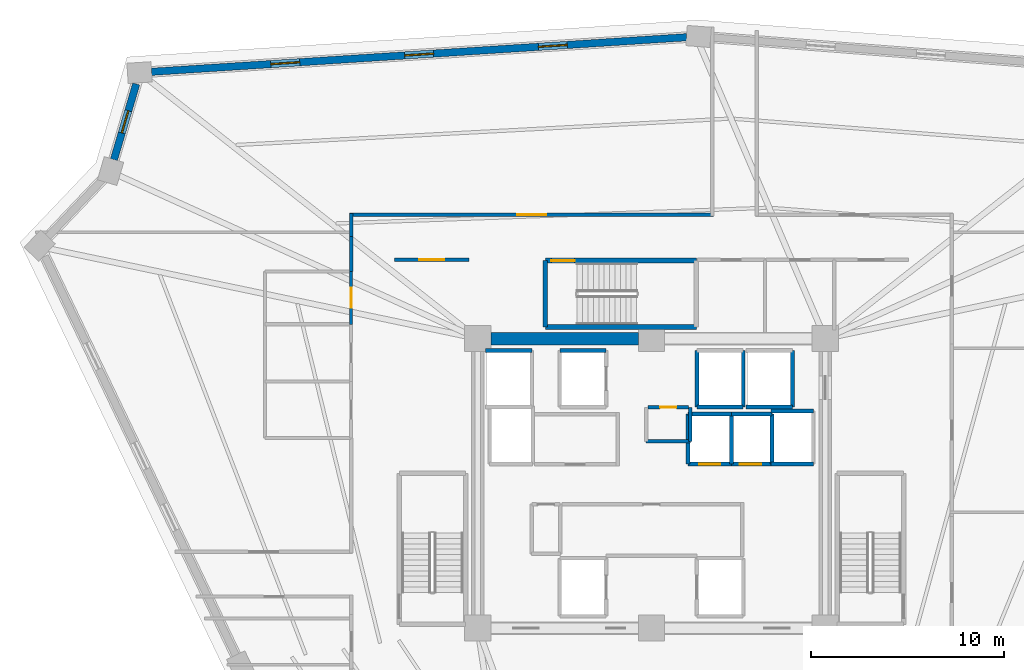
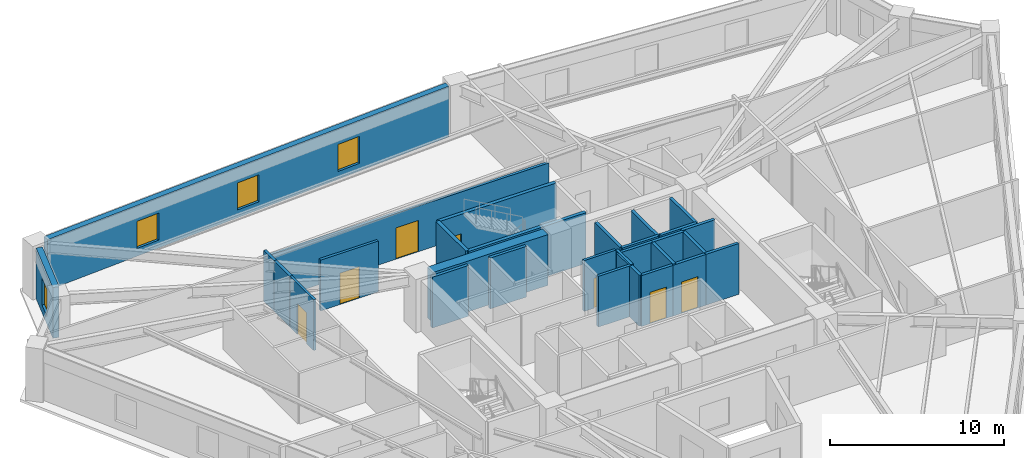
# One storey, part 5 of 8: 30 walls, 7 doors, 4 windows, 11 openings.
"""IFC4 building model written with IfcOpenShell, lengths in metres."""

import ifcopenshell
import ifcopenshell.guid

model = None  # the IFC model being written
_history = None  # IfcOwnerHistory: only IFC2X3 demands one
_inside = {}  # id of a spatial element -> (the spatial element, [elements in it])
_under = {}  # id of a project, library or spatial element -> (it, [spatial elements below it])
_declared = {}  # id of a project -> (the project, [libraries it declares])
_typed = {}  # id of a type object -> (the type object, [elements of that type])
_made_of = {}  # id of a material, layer set ... -> (it, [elements and type objects made of it])


def new_model(schema):
    """Start an empty IFC model of exactly this schema.

    Asked for "IFC4X3", IfcOpenShell would pick the latest addendum, in which some entities
    have other attributes; the version numbers below select the first issue.
    IFC2X3 requires an IfcOwnerHistory on every rooted entity: one is made here for all.
    """
    global model, _history
    if schema == "IFC4X3":
        model = ifcopenshell.file(schema_version=(4, 3, 0, 0))
    else:
        model = ifcopenshell.file(schema=schema)
    _inside.clear()
    _under.clear()
    _declared.clear()
    _typed.clear()
    _made_of.clear()
    _history = None
    if model.schema == "IFC2X3":
        org = make("IfcOrganization", Name="unknown")
        user = make(
            "IfcPersonAndOrganization",
            ThePerson=make("IfcPerson", FamilyName="unknown"),
            TheOrganization=org,
        )
        app = make(
            "IfcApplication",
            ApplicationDeveloper=org,
            Version="unknown",
            ApplicationFullName="unknown",
            ApplicationIdentifier="unknown",
        )
        _history = make(
            "IfcOwnerHistory",
            OwningUser=user,
            OwningApplication=app,
            ChangeAction="ADDED",
            CreationDate=0,
        )
    return model


def make(cls, **values):
    """One entity of the class cls with the attributes given. An attribute that is None is left unset."""
    return model.create_entity(
        cls, **{name: value for name, value in values.items() if value is not None}
    )


def rooted(cls, **values):
    """An entity with a GlobalId (a new one), such as an element, a storey or a relation."""
    return make(cls, GlobalId=ifcopenshell.guid.new(), OwnerHistory=_history, **values)


def si_unit(unit_type, name, prefix=None):
    """IfcSIUnit, for example si_unit("LENGTHUNIT", "METRE", prefix="MILLI")."""
    return make("IfcSIUnit", UnitType=unit_type, Prefix=prefix, Name=name)


def assignment(units):
    """IfcUnitAssignment: the units of a project."""
    return None if units is None else make("IfcUnitAssignment", Units=units)


def point(xyz):
    """IfcCartesianPoint."""
    return None if xyz is None else make("IfcCartesianPoint", Coordinates=xyz)


def direction(xyz):
    """IfcDirection."""
    return None if xyz is None else make("IfcDirection", DirectionRatios=xyz)


def frame(location, z_axis=None, x_axis=None):
    """IfcAxis2Placement3D, a coordinate frame: its origin and axes. An axis left out is left unset."""
    return make(
        "IfcAxis2Placement3D",
        Location=point(location),
        Axis=direction(z_axis),
        RefDirection=direction(x_axis),
    )


def frame_2d(location, x_axis=None):
    """IfcAxis2Placement2D, a coordinate frame in the plane: its origin and x axis."""
    return make(
        "IfcAxis2Placement2D", Location=point(location), RefDirection=direction(x_axis)
    )


def origin():
    """The frame at (0, 0, 0) with its axes left unset."""
    return frame((0.0, 0.0, 0.0))


def place(relative_to, where):
    """IfcLocalPlacement: puts the frame where relative to a parent placement (None: the world)."""
    return make(
        "IfcLocalPlacement", PlacementRelTo=relative_to, RelativePlacement=where
    )


def context(
    kind, dimensions, precision=None, world=None, true_north=None, identifier=None
):
    """IfcGeometricRepresentationContext, for example the 3D "Model" context."""
    return make(
        "IfcGeometricRepresentationContext",
        ContextIdentifier=identifier,
        ContextType=kind,
        CoordinateSpaceDimension=dimensions,
        Precision=precision,
        WorldCoordinateSystem=world,
        TrueNorth=true_north,
    )


def subcontext(parent, identifier, kind, view, scale=None):
    """IfcGeometricRepresentationSubContext, for example "Body" below "Model"."""
    return make(
        "IfcGeometricRepresentationSubContext",
        ContextIdentifier=identifier,
        ContextType=kind,
        ParentContext=parent,
        TargetScale=scale,
        TargetView=view,
    )


def project(units=None, contexts=None):
    """IfcProject with its units and contexts."""
    return rooted(
        "IfcProject",
        Name="project",
        RepresentationContexts=contexts,
        UnitsInContext=assignment(units),
    )


def spatial(cls, under=None, at=None, **own):
    """A site, building, storey or space (cls), placed at a placement, below another one or the project."""
    s = rooted(cls, ObjectPlacement=at, **own)
    if under is not None:
        _under.setdefault(under.id(), (under, []))[1].append(s)
    return s


def profile(cls, at=None, kind="AREA", **sizes):
    """A parametric profile (cls). Its sizes go by their IFC names, for example OverallWidth=200.0."""
    return make(cls, ProfileType=kind, Position=at, **sizes)


def rectangle(**sizes):
    """IfcRectangleProfileDef."""
    return profile("IfcRectangleProfileDef", **sizes)


def extrude(swept, where, along, depth):
    """IfcExtrudedAreaSolid: the profile swept, set in the frame where, extruded along a direction by depth."""
    return make(
        "IfcExtrudedAreaSolid",
        SweptArea=swept,
        Position=where,
        ExtrudedDirection=direction(along),
        Depth=depth,
    )


def shape(context_of_items, identifier, shape_type, items):
    """IfcShapeRepresentation: the items that make up one representation, for example the "Body"."""
    return make(
        "IfcShapeRepresentation",
        ContextOfItems=context_of_items,
        RepresentationIdentifier=identifier,
        RepresentationType=shape_type,
        Items=items,
    )


def source(mapping_origin, context_of_items, identifier, shape_type, items):
    """IfcRepresentationMap: a shape defined once, which mapped items show again and again."""
    return make(
        "IfcRepresentationMap",
        MappingOrigin=mapping_origin,
        MappedRepresentation=shape(context_of_items, identifier, shape_type, items),
    )


def transform(
    local_origin,
    x_axis=None,
    y_axis=None,
    z_axis=None,
    scale=None,
    scale2=None,
    scale3=None,
    uniform=True,
):
    """IfcCartesianTransformationOperator3D, or its non-uniform kind. x_axis, y_axis, z_axis: its Axis1, 2, 3."""
    if uniform:
        return make(
            "IfcCartesianTransformationOperator3D",
            Axis1=direction(x_axis),
            Axis2=direction(y_axis),
            LocalOrigin=point(local_origin),
            Scale=scale,
            Axis3=direction(z_axis),
        )
    return make(
        "IfcCartesianTransformationOperator3DnonUniform",
        Axis1=direction(x_axis),
        Axis2=direction(y_axis),
        LocalOrigin=point(local_origin),
        Scale=scale,
        Axis3=direction(z_axis),
        Scale2=scale2,
        Scale3=scale3,
    )


def mapped(mapping_source, mapping_target):
    """IfcMappedItem: shows the shape of a source again, moved by a transform."""
    return make(
        "IfcMappedItem", MappingSource=mapping_source, MappingTarget=mapping_target
    )


def material(Name=None, Category=None):
    """IfcMaterial."""
    return make("IfcMaterial", Name=Name, Category=Category)


def layer(
    of_material, thickness, ventilated=None, Name=None, Category=None, Priority=None
):
    """IfcMaterialLayer: one layer of a wall or slab, of a material (None: an air gap)."""
    return make(
        "IfcMaterialLayer",
        Material=of_material,
        LayerThickness=thickness,
        IsVentilated=ventilated,
        Name=Name,
        Category=Category,
        Priority=Priority,
    )


def layer_set(layers, Name=None):
    """IfcMaterialLayerSet."""
    return make("IfcMaterialLayerSet", MaterialLayers=layers, LayerSetName=Name)


def made_of(thing, what):
    """Note that an element or type object is made of a material, layer set ...; save() writes the relation."""
    if what is not None:
        _made_of.setdefault(what.id(), (what, []))[1].append(thing)
    return thing


def type_object(cls, material=None, **own):
    """A type object (cls), such as IfcWallType, which elements share."""
    return made_of(rooted(cls, **own), material)


def element(
    cls,
    number,
    at=None,
    inside=None,
    cuts=None,
    type_object=None,
    material=None,
    context=None,
    identifier="Body",
    shape_type=None,
    held_by="IfcProductDefinitionShape",
    body=None,
    shapes=None,
    **own,
):
    """One element of the class cls, such as IfcWall. Its Tag is "e" and its number.

    at: its placement. inside: the storey or other place that contains it. cuts: it is an
    opening in that element (IfcRelVoidsElement). A single representation is given by context,
    identifier, shape_type and body (its items); several are given by shapes. held_by: the class
    of the entity that holds the representations. save() writes the other relations.
    """
    e = rooted(cls, Tag="e%d" % number, ObjectPlacement=at, **own)
    if body is not None:
        shapes = [shape(context, identifier, shape_type, body)]
    if shapes is not None:
        e.Representation = make(held_by, Representations=shapes)
    if inside is not None:
        _inside.setdefault(inside.id(), (inside, []))[1].append(e)
    if cuts is not None:
        rooted(
            "IfcRelVoidsElement", RelatingBuildingElement=cuts, RelatedOpeningElement=e
        )
    if type_object is not None:
        _typed.setdefault(type_object.id(), (type_object, []))[1].append(e)
    return made_of(e, material)


def fill(opening, filler):
    """IfcRelFillsElement: the door or window that sits in an opening."""
    return rooted(
        "IfcRelFillsElement",
        RelatingOpeningElement=opening,
        RelatedBuildingElement=filler,
    )


def aggregate(whole, parts):
    """IfcRelAggregates: a whole, such as a stair, and the parts it consists of."""
    return rooted("IfcRelAggregates", RelatingObject=whole, RelatedObjects=parts)


def save(model, path):
    """Write the relations noted so far, then the file.

    IfcRelAggregates (storeys below a building ...), IfcRelContainedInSpatialStructure (elements
    in a storey), IfcRelDefinesByType, IfcRelAssociatesMaterial and IfcRelDeclares: one each for
    every whole, place, type object, material and project.
    """
    for whole, parts in _under.values():
        aggregate(whole, parts)
    for where, things in _inside.values():
        rooted(
            "IfcRelContainedInSpatialStructure",
            RelatedElements=things,
            RelatingStructure=where,
        )
    for kind, things in _typed.values():
        rooted("IfcRelDefinesByType", RelatedObjects=things, RelatingType=kind)
    for what, things in _made_of.values():
        rooted("IfcRelAssociatesMaterial", RelatedObjects=things, RelatingMaterial=what)
    for by, libraries in _declared.values():
        rooted("IfcRelDeclares", RelatingContext=by, RelatedDefinitions=libraries)
    model.write(path)


model = new_model("IFC4")

# Units and contexts
model_context = context("Model", 3, precision=1e-05, world=origin(), true_north=direction((0.0, 1.0)))
body_context = subcontext(model_context, "Body", "Model", "MODEL_VIEW")
ifc_project = project(units=[si_unit("LENGTHUNIT", "METRE"), si_unit("AREAUNIT", "SQUARE_METRE"), si_unit("VOLUMEUNIT", "CUBIC_METRE"), si_unit("PLANEANGLEUNIT", "RADIAN"), si_unit("MASSUNIT", "GRAM", prefix="KILO")], contexts=[model_context])

# Site, building, storey
site_placement = place(None, origin())
site = spatial("IfcSite", under=ifc_project, at=site_placement, CompositionType="ELEMENT")
building_placement = place(site_placement, origin())
building = spatial("IfcBuilding", under=site, at=building_placement, Name="Liaohun Quay Tower", CompositionType="ELEMENT")
storey_placement = place(building_placement, frame((0.0, 0.0, 266.25)))
storey = spatial("IfcBuildingStorey", under=building, at=storey_placement, Name="L69", CompositionType="ELEMENT", Elevation=266.25)

# Wall
ifc_material_1 = material(Name="Concrete C55", Category="concrete")
ifc_layer_1 = layer(ifc_material_1, 0.64990234375, Name="Concrete C55", Category="concrete")
ifc_layer_set_1 = layer_set([ifc_layer_1], Name="Concrete C55")
wall_type_1 = type_object("IfcWallType", Name="WAL-COR-Z3", PredefinedType="SHEAR", material=ifc_layer_set_1)
wall_1_placement = place(storey_placement, frame((51.675048828125, 61.5, 0.0), z_axis=(0.0, 0.0, 1.0), x_axis=(1.0, 0.0, 0.0)))
element("IfcWall", 1, at=wall_1_placement, inside=storey, type_object=wall_type_1, Name="L69 Central Core Shear Wall N-W", PredefinedType="SHEAR", context=body_context, shape_type="SweptSolid", body=[
    extrude(rectangle(XDim=7.64990234375, YDim=0.64990234375, at=frame_2d((3.824951171875, 0.0))), origin(), (0.0, 0.0, 1.0), 3.570068359375),
])

# Wall, openings, windows
ifc_material_2 = material(Name="Precast concrete C50 insulated sandwich", Category="concrete")
ifc_layer_2 = layer(ifc_material_2, 0.3798828125, Name="Precast concrete C50 insulated sandwich", Category="concrete")
ifc_layer_set_2 = layer_set([ifc_layer_2], Name="Precast concrete C50 insulated sandwich")
wall_type_2 = type_object("IfcWallType", Name="WAL-EXT-Z34", PredefinedType="SOLIDWALL", material=ifc_layer_set_2)
wall_2_placement = place(storey_placement, frame((61.824951171875, 77.10791015625, 0.0), z_axis=(0.0, 0.0, 1.0), x_axis=(-0.997917689191, -0.064500275963, 0.0)))
wall_2 = element("IfcWall", 2, at=wall_2_placement, inside=storey, type_object=wall_type_2, Name="L69 Brutalist Precast Pier Wall 07", PredefinedType="SOLIDWALL", context=body_context, shape_type="SweptSolid", body=[
    extrude(rectangle(XDim=27.78271484375, YDim=0.3798828125, at=frame_2d((13.891357421875, 0.0))), origin(), (0.0, 0.0, 1.0), 3.570068359375),
])
shared_shape_1 = source(origin(), body_context, "Body", "SweptSolid", [
    extrude(rectangle(XDim=1.5, YDim=1.89990234375, at=frame_2d((0.75, 0.949951171875))), frame((0.0, 0.199951171875, 0.0), z_axis=(0.0, -1.0, 0.0), x_axis=(1.0, 0.0, 0.0)), (0.0, 0.0, 1.0), 0.39990234375),
])
opening_1_placement = place(wall_2_placement, frame((6.196044921875, 0.0, 0.550048828125)))
opening_1 = element("IfcOpeningElement", 3, at=opening_1_placement, cuts=wall_2, Name="Opening W03", PredefinedType="OPENING", context=body_context, shape_type="MappedRepresentation", body=[
    mapped(shared_shape_1, transform((0.0, 0.0, 0.0), x_axis=(1.0, 0.0, 0.0), y_axis=(0.0, 1.0, 0.0), z_axis=(0.0, 0.0, 1.0), scale=1.0)),
])
opening_2_placement = place(wall_2_placement, frame((13.14111328125, 0.0, 0.550048828125)))
opening_2 = element("IfcOpeningElement", 4, at=opening_2_placement, cuts=wall_2, Name="Opening W03", PredefinedType="OPENING", context=body_context, shape_type="MappedRepresentation", body=[
    mapped(shared_shape_1, transform((0.0, 0.0, 0.0), x_axis=(1.0, 0.0, 0.0), y_axis=(0.0, 1.0, 0.0), z_axis=(0.0, 0.0, 1.0), scale=1.0)),
])
opening_3_placement = place(wall_2_placement, frame((20.0869140625, 0.0, 0.550048828125)))
opening_3 = element("IfcOpeningElement", 5, at=opening_3_placement, cuts=wall_2, Name="Opening W03", PredefinedType="OPENING", context=body_context, shape_type="MappedRepresentation", body=[
    mapped(shared_shape_1, transform((0.0, 0.0, 0.0), x_axis=(1.0, 0.0, 0.0), y_axis=(0.0, 1.0, 0.0), z_axis=(0.0, 0.0, 1.0), scale=1.0)),
])
ifc_material_3 = material(Name="Triple Low-E argon glazing in thermally broken aluminium", Category="aluminium")
window_type_1 = type_object("IfcWindowType", Name="WIN-PUN-Z3", PartitioningType="DOUBLE_PANEL_VERTICAL", PredefinedType="WINDOW", material=ifc_material_3)
shared_shape_2 = source(origin(), body_context, "Body", "SweptSolid", [
    extrude(rectangle(XDim=1.5, YDim=1.89990234375, at=frame_2d((0.75, 0.949951171875))), frame((0.0, 0.030029296875, 0.0), z_axis=(0.0, -1.0, 0.0), x_axis=(1.0, 0.0, 0.0)), (0.0, 0.0, 1.0), 0.06005859375),
])
window_1_placement = place(opening_1_placement, origin())
window_1 = element("IfcWindow", 6, at=window_1_placement, inside=storey, type_object=window_type_1, Name="L69 Recessed Cold-Climate Punched Window 07-1", OverallHeight=1.89990234375, OverallWidth=1.5, PartitioningType="DOUBLE_PANEL_VERTICAL", PredefinedType="WINDOW", context=body_context, shape_type="MappedRepresentation", body=[
    mapped(shared_shape_2, transform((0.0, 0.0, 0.0), x_axis=(1.0, 0.0, 0.0), y_axis=(0.0, 1.0, 0.0), z_axis=(0.0, 0.0, 1.0), scale=1.0)),
])
fill(opening_1, window_1)
window_2_placement = place(opening_2_placement, origin())
window_2 = element("IfcWindow", 7, at=window_2_placement, inside=storey, type_object=window_type_1, Name="L69 Recessed Cold-Climate Punched Window 07-2", OverallHeight=1.89990234375, OverallWidth=1.5, PartitioningType="DOUBLE_PANEL_VERTICAL", PredefinedType="WINDOW", context=body_context, shape_type="MappedRepresentation", body=[
    mapped(shared_shape_2, transform((0.0, 0.0, 0.0), x_axis=(1.0, 0.0, 0.0), y_axis=(0.0, 1.0, 0.0), z_axis=(0.0, 0.0, 1.0), scale=1.0)),
])
fill(opening_2, window_2)
window_3_placement = place(opening_3_placement, origin())
window_3 = element("IfcWindow", 8, at=window_3_placement, inside=storey, type_object=window_type_1, Name="L69 Recessed Cold-Climate Punched Window 07-3", OverallHeight=1.89990234375, OverallWidth=1.5, PartitioningType="DOUBLE_PANEL_VERTICAL", PredefinedType="WINDOW", context=body_context, shape_type="MappedRepresentation", body=[
    mapped(shared_shape_2, transform((0.0, 0.0, 0.0), x_axis=(1.0, 0.0, 0.0), y_axis=(0.0, 1.0, 0.0), z_axis=(0.0, 0.0, 1.0), scale=1.0)),
])
fill(opening_3, window_3)

# Wall, opening, window
wall_3_placement = place(storey_placement, frame((33.31201171875, 74.68603515625, 0.0), z_axis=(0.0, 0.0, 1.0), x_axis=(-0.282641755903, -0.959225540642, 0.0)))
wall_3 = element("IfcWall", 9, at=wall_3_placement, inside=storey, type_object=wall_type_2, Name="L69 Brutalist Precast Pier Wall 08", PredefinedType="SOLIDWALL", context=body_context, shape_type="SweptSolid", body=[
    extrude(rectangle(XDim=4.086669921875, YDim=0.3798828125, at=frame_2d((2.04345703125, 0.0))), origin(), (0.0, 0.0, 1.0), 3.570068359375),
])
shared_shape_3 = source(origin(), body_context, "Body", "SweptSolid", [
    extrude(rectangle(XDim=1.199951171875, YDim=1.89990234375, at=frame_2d((0.60009765625, 0.949951171875))), frame((0.0, 0.199951171875, 0.0), z_axis=(0.0, -1.0, 0.0), x_axis=(1.0, 0.0, 0.0)), (0.0, 0.0, 1.0), 0.39990234375),
])
opening_4_placement = place(wall_3_placement, frame((1.443115234375, 0.0, 0.550048828125)))
opening_4 = element("IfcOpeningElement", 10, at=opening_4_placement, cuts=wall_3, Name="Opening W05", PredefinedType="OPENING", context=body_context, shape_type="MappedRepresentation", body=[
    mapped(shared_shape_3, transform((0.0, 0.0, 0.0), x_axis=(1.0, 0.0, 0.0), y_axis=(0.0, 1.0, 0.0), z_axis=(0.0, 0.0, 1.0), scale=1.0)),
])
ifc_material_4 = material(Name="Triple Low-E corner notch glazing", Category="glass")
window_type_2 = type_object("IfcWindowType", Name="WIN-NOTCH", PartitioningType="SINGLE_PANEL", PredefinedType="WINDOW", material=ifc_material_4)
shared_shape_4 = source(origin(), body_context, "Body", "SweptSolid", [
    extrude(rectangle(XDim=1.199951171875, YDim=1.89990234375, at=frame_2d((0.60009765625, 0.949951171875))), frame((0.0, 0.030029296875, 0.0), z_axis=(0.0, -1.0, 0.0), x_axis=(1.0, 0.0, 0.0)), (0.0, 0.0, 1.0), 0.06005859375),
])
window_4_placement = place(opening_4_placement, origin())
window_4 = element("IfcWindow", 11, at=window_4_placement, inside=storey, type_object=window_type_2, Name="L69 Corner Notch Window W05-08", OverallHeight=1.89990234375, OverallWidth=1.199951171875, PartitioningType="SINGLE_PANEL", PredefinedType="WINDOW", context=body_context, shape_type="MappedRepresentation", body=[
    mapped(shared_shape_4, transform((0.0, 0.0, 0.0), x_axis=(1.0, 0.0, 0.0), y_axis=(0.0, 1.0, 0.0), z_axis=(0.0, 0.0, 1.0), scale=1.0)),
])
fill(opening_4, window_4)

# Wall, opening, door
ifc_material_5 = material(Name="Autoclaved aerated concrete blockwork", Category="masonry")
ifc_layer_3 = layer(ifc_material_5, 0.179931640625, Name="Autoclaved aerated concrete blockwork", Category="masonry")
ifc_layer_set_3 = layer_set([ifc_layer_3], Name="Autoclaved aerated concrete blockwork")
wall_type_3 = type_object("IfcWallType", Name="WAL-PRT-COR", PredefinedType="PARTITIONING", material=ifc_layer_set_3)
wall_4_placement = place(storey_placement, frame((59.81005859375, 57.949951171875, 0.0), z_axis=(0.0, 0.0, 1.0), x_axis=(1.0, 0.0, 0.0)))
wall_4 = element("IfcWall", 12, at=wall_4_placement, inside=storey, type_object=wall_type_3, Name="L69 Interior Partition Wall 003", PredefinedType="PARTITIONING", context=body_context, shape_type="SweptSolid", body=[
    extrude(rectangle(XDim=2.10986328125, YDim=0.179931640625, at=frame_2d((1.054931640625, 0.0))), origin(), (0.0, 0.0, 1.0), 3.570068359375),
])
shared_shape_5 = source(origin(), body_context, "Body", "SweptSolid", [
    extrude(rectangle(XDim=0.85009765625, YDim=2.10009765625, at=frame_2d((0.425048828125, 1.050048828125))), frame((0.0, 0.099853515625, 0.0), z_axis=(0.0, -1.0, 0.0), x_axis=(1.0, 0.0, 0.0)), (0.0, 0.0, 1.0), 0.199951171875),
])
opening_5_placement = place(wall_4_placement, frame((0.635009765625, 0.0, 0.0)))
opening_5 = element("IfcOpeningElement", 13, at=opening_5_placement, cuts=wall_4, Name="Opening AD1", PredefinedType="OPENING", context=body_context, shape_type="MappedRepresentation", body=[
    mapped(shared_shape_5, transform((0.0, 0.0, 0.0), x_axis=(1.0, 0.0, 0.0), y_axis=(0.0, 1.0, 0.0), z_axis=(0.0, 0.0, 1.0), scale=1.0)),
])
ifc_material_6 = material(Name="Steel riser inspection fire door", Category="steel")
door_type_1 = type_object("IfcDoorType", Name="DOR-SHF-850", OperationType="NOTDEFINED", PredefinedType="DOOR", material=ifc_material_6)
shared_shape_6 = source(origin(), body_context, "Body", "SweptSolid", [
    extrude(rectangle(XDim=0.85009765625, YDim=2.10009765625, at=frame_2d((0.425048828125, 1.050048828125))), frame((0.0, 0.02490234375, 0.0), z_axis=(0.0, -1.0, 0.0), x_axis=(1.0, 0.0, 0.0)), (0.0, 0.0, 1.0), 0.050048828125),
])
door_1_placement = place(opening_5_placement, origin())
door_1 = element("IfcDoor", 14, at=door_1_placement, inside=storey, type_object=door_type_1, Name="L69 Core Janitor and Cleaner Store Door", OperationType="SINGLE_SWING_LEFT", OverallHeight=2.10009765625, OverallWidth=0.85009765625, PredefinedType="DOOR", context=body_context, shape_type="MappedRepresentation", body=[
    mapped(shared_shape_6, transform((0.0, 0.0, 0.0), x_axis=(1.0, 0.0, 0.0), y_axis=(0.0, 1.0, 0.0), z_axis=(0.0, 0.0, 1.0), scale=1.0)),
])
fill(opening_5, door_1)

wall_5_placement = place(storey_placement, frame((46.699951171875, 65.580078125, 0.0), z_axis=(0.0, 0.0, 1.0), x_axis=(1.0, 0.0, 0.0)))
wall_5 = element("IfcWall", 15, at=wall_5_placement, inside=storey, type_object=wall_type_3, Name="L69 Interior Partition Wall 010", PredefinedType="PARTITIONING", context=body_context, shape_type="SweptSolid", body=[
    extrude(rectangle(XDim=3.840087890625, YDim=0.179931640625, at=frame_2d((1.919921875, 0.0))), origin(), (0.0, 0.0, 1.0), 3.570068359375),
])
shared_shape_7 = source(origin(), body_context, "Body", "SweptSolid", [
    extrude(rectangle(XDim=1.300048828125, YDim=2.199951171875, at=frame_2d((0.64990234375, 1.10009765625))), frame((0.0, 0.099853515625, 0.0), z_axis=(0.0, -1.0, 0.0), x_axis=(1.0, 0.0, 0.0)), (0.0, 0.0, 1.0), 0.199951171875),
])
opening_6_placement = place(wall_5_placement, frame((1.27001953125, 0.0, 0.0)))
opening_6 = element("IfcOpeningElement", 16, at=opening_6_placement, cuts=wall_5, Name="Opening FD1", PredefinedType="OPENING", context=body_context, shape_type="MappedRepresentation", body=[
    mapped(shared_shape_7, transform((0.0, 0.0, 0.0), x_axis=(1.0, 0.0, 0.0), y_axis=(0.0, 1.0, 0.0), z_axis=(0.0, 0.0, 1.0), scale=1.0)),
])
ifc_material_7 = material(Name="Galvanised steel smokeproof fire door", Category="steel")
door_type_2 = type_object("IfcDoorType", Name="DOR-FFL-1300", OperationType="NOTDEFINED", PredefinedType="DOOR", material=ifc_material_7)
shared_shape_8 = source(origin(), body_context, "Body", "SweptSolid", [
    extrude(rectangle(XDim=1.300048828125, YDim=2.199951171875, at=frame_2d((0.64990234375, 1.10009765625))), frame((0.0, 0.02490234375, 0.0), z_axis=(0.0, -1.0, 0.0), x_axis=(1.0, 0.0, 0.0)), (0.0, 0.0, 1.0), 0.050048828125),
])
door_2_placement = place(opening_6_placement, origin())
door_2 = element("IfcDoor", 17, at=door_2_placement, inside=storey, type_object=door_type_2, Name="L69 West Core Vestibule Door", OperationType="SINGLE_SWING_RIGHT", OverallHeight=2.199951171875, OverallWidth=1.300048828125, PredefinedType="DOOR", context=body_context, shape_type="MappedRepresentation", body=[
    mapped(shared_shape_8, transform((0.0, 0.0, 0.0), x_axis=(1.0, 0.0, 0.0), y_axis=(0.0, 1.0, 0.0), z_axis=(0.0, 0.0, 1.0), scale=1.0)),
])
fill(opening_6, door_2)

wall_6_placement = place(storey_placement, frame((44.3701171875, 67.909912109375, 0.0), z_axis=(0.0, 0.0, 1.0), x_axis=(1.0, 0.0, 0.0)))
wall_6 = element("IfcWall", 18, at=wall_6_placement, inside=storey, type_object=wall_type_3, Name="L69 Interior Partition Wall 015", PredefinedType="PARTITIONING", context=body_context, shape_type="SweptSolid", body=[
    extrude(rectangle(XDim=18.83984375, YDim=0.179931640625, at=frame_2d((9.419921875, 0.0))), origin(), (0.0, 0.0, 1.0), 3.205078125),
])
shared_shape_9 = source(origin(), body_context, "Body", "SweptSolid", [
    extrude(rectangle(XDim=1.5, YDim=2.199951171875, at=frame_2d((0.75, 1.10009765625))), frame((0.0, 0.099853515625, 0.0), z_axis=(0.0, -1.0, 0.0), x_axis=(1.0, 0.0, 0.0)), (0.0, 0.0, 1.0), 0.199951171875),
])
opening_7_placement = place(wall_6_placement, frame((8.669921875, 0.0, 0.0)))
opening_7 = element("IfcOpeningElement", 19, at=opening_7_placement, cuts=wall_6, Name="Opening OD2", PredefinedType="OPENING", context=body_context, shape_type="MappedRepresentation", body=[
    mapped(shared_shape_9, transform((0.0, 0.0, 0.0), x_axis=(1.0, 0.0, 0.0), y_axis=(0.0, 1.0, 0.0), z_axis=(0.0, 0.0, 1.0), scale=1.0)),
])
ifc_material_8 = material(Name="Acoustic oak veneer double door")
door_type_3 = type_object("IfcDoorType", Name="DOR-OFF-1500", OperationType="DOUBLE_DOOR_SINGLE_SWING", PredefinedType="DOOR", material=ifc_material_8)
shared_shape_10 = source(origin(), body_context, "Body", "SweptSolid", [
    extrude(rectangle(XDim=1.5, YDim=2.199951171875, at=frame_2d((0.75, 1.10009765625))), frame((0.0, 0.02490234375, 0.0), z_axis=(0.0, -1.0, 0.0), x_axis=(1.0, 0.0, 0.0)), (0.0, 0.0, 1.0), 0.050048828125),
])
door_3_placement = place(opening_7_placement, origin())
door_3 = element("IfcDoor", 20, at=door_3_placement, inside=storey, type_object=door_type_3, Name="L69 Project Collaboration Studio 04 Door", OperationType="DOUBLE_DOOR_SINGLE_SWING", OverallHeight=2.199951171875, OverallWidth=1.5, PredefinedType="DOOR", context=body_context, shape_type="MappedRepresentation", body=[
    mapped(shared_shape_10, transform((0.0, 0.0, 0.0), x_axis=(1.0, 0.0, 0.0), y_axis=(0.0, 1.0, 0.0), z_axis=(0.0, 0.0, 1.0), scale=1.0)),
])
fill(opening_7, door_3)

# Walls
wall_7_placement = place(storey_placement, frame((62.010009765625, 56.179931640625, 0.0), z_axis=(0.0, 0.0, 1.0), x_axis=(0.0, 1.0, 0.0)))
element("IfcWall", 21, at=wall_7_placement, inside=storey, type_object=wall_type_3, Name="L69 Interior Partition Wall 022", PredefinedType="PARTITIONING", context=body_context, shape_type="SweptSolid", body=[
    extrude(rectangle(XDim=1.739990234375, YDim=0.179931640625, at=frame_2d((0.8701171875, 0.0))), origin(), (0.0, 0.0, 1.0), 3.570068359375),
])
wall_8_placement = place(storey_placement, frame((59.719970703125, 56.179931640625, 0.0), z_axis=(0.0, 0.0, 1.0), x_axis=(1.0, 0.0, 0.0)))
element("IfcWall", 22, at=wall_8_placement, inside=storey, type_object=wall_type_3, Name="L69 Interior Partition Wall 023", PredefinedType="PARTITIONING", context=body_context, shape_type="SweptSolid", body=[
    extrude(rectangle(XDim=2.2900390625, YDim=0.179931640625, at=frame_2d((1.14501953125, 0.0))), origin(), (0.0, 0.0, 1.0), 3.570068359375),
])
wall_9_placement = place(storey_placement, frame((44.43994140625, 66.784912109375, 0.0), z_axis=(0.0, 0.0, 1.0), x_axis=(0.0, 1.0, 0.0)))
element("IfcWall", 23, at=wall_9_placement, inside=storey, type_object=wall_type_3, Name="L69 Interior Partition Wall 037", PredefinedType="PARTITIONING", context=body_context, shape_type="SweptSolid", body=[
    extrude(rectangle(XDim=1.195068359375, YDim=0.179931640625, at=frame_2d((0.59765625, 0.0))), origin(), (0.0, 0.0, 1.0), 3.570068359375),
])
wall_10_placement = place(storey_placement, frame((44.43994140625, 64.97998046875, 0.0), z_axis=(0.0, 0.0, 1.0), x_axis=(0.0, 1.0, 0.0)))
element("IfcWall", 24, at=wall_10_placement, inside=storey, type_object=wall_type_3, Name="L69 Interior Partition Wall 039", PredefinedType="PARTITIONING", context=body_context, shape_type="SweptSolid", body=[
    extrude(rectangle(XDim=1.804931640625, YDim=0.179931640625, at=frame_2d((0.90234375, 0.0))), origin(), (0.0, 0.0, 1.0), 3.570068359375),
])

# Wall, opening, door
ifc_material_9 = material(Name="Moisture-resistant masonry blockwork", Category="masonry")
ifc_layer_4 = layer(ifc_material_9, 0.159912109375, Name="Moisture-resistant masonry blockwork", Category="masonry")
ifc_layer_set_4 = layer_set([ifc_layer_4], Name="Moisture-resistant masonry blockwork")
wall_type_4 = type_object("IfcWallType", Name="WAL-PRT-WET", PredefinedType="PARTITIONING", material=ifc_layer_set_4)
wall_11_placement = place(storey_placement, frame((44.43994140625, 62.239990234375, 0.0), z_axis=(0.0, 0.0, 1.0), x_axis=(0.0, 1.0, 0.0)))
wall_11 = element("IfcWall", 25, at=wall_11_placement, inside=storey, type_object=wall_type_4, Name="L69 Interior Partition Wall 007", PredefinedType="PARTITIONING", context=body_context, shape_type="SweptSolid", body=[
    extrude(rectangle(XDim=2.739990234375, YDim=0.159912109375, at=frame_2d((1.3701171875, 0.0))), origin(), (0.0, 0.0, 1.0), 3.570068359375),
])
shared_shape_11 = source(origin(), body_context, "Body", "SweptSolid", [
    extrude(rectangle(XDim=1.050048828125, YDim=2.14990234375, at=frame_2d((0.52490234375, 1.074951171875))), frame((0.0, 0.08984375, 0.0), z_axis=(0.0, -1.0, 0.0), x_axis=(1.0, 0.0, 0.0)), (0.0, 0.0, 1.0), 0.179931640625),
])
opening_8_placement = place(wall_11_placement, frame((0.844970703125, 0.0, 0.0)))
opening_8 = element("IfcOpeningElement", 26, at=opening_8_placement, cuts=wall_11, Name="Opening WD2", PredefinedType="OPENING", context=body_context, shape_type="MappedRepresentation", body=[
    mapped(shared_shape_11, transform((0.0, 0.0, 0.0), x_axis=(1.0, 0.0, 0.0), y_axis=(0.0, 1.0, 0.0), z_axis=(0.0, 0.0, 1.0), scale=1.0)),
])
ifc_material_10 = material(Name="Accessible outward-swinging laminate door")
door_type_4 = type_object("IfcDoorType", Name="DOR-AWC-1050", OperationType="NOTDEFINED", PredefinedType="DOOR", material=ifc_material_10)
shared_shape_12 = source(origin(), body_context, "Body", "SweptSolid", [
    extrude(rectangle(XDim=1.050048828125, YDim=2.14990234375, at=frame_2d((0.52490234375, 1.074951171875))), frame((0.0, 0.02490234375, 0.0), z_axis=(0.0, -1.0, 0.0), x_axis=(1.0, 0.0, 0.0)), (0.0, 0.0, 1.0), 0.050048828125),
])
door_4_placement = place(opening_8_placement, origin())
door_4 = element("IfcDoor", 27, at=door_4_placement, inside=storey, type_object=door_type_4, Name="L69 Accessible WC Door", OperationType="SINGLE_SWING_LEFT", OverallHeight=2.14990234375, OverallWidth=1.050048828125, PredefinedType="DOOR", context=body_context, shape_type="MappedRepresentation", body=[
    mapped(shared_shape_12, transform((0.0, 0.0, 0.0), x_axis=(1.0, 0.0, 0.0), y_axis=(0.0, 1.0, 0.0), z_axis=(0.0, 0.0, 1.0), scale=1.0)),
])
fill(opening_8, door_4)

# Wall
ifc_material_11 = material(Name="Concrete C50", Category="concrete")
ifc_layer_5 = layer(ifc_material_11, 0.239990234375, Name="Concrete C50", Category="concrete")
ifc_layer_set_5 = layer_set([ifc_layer_5], Name="Concrete C50")
wall_type_5 = type_object("IfcWallType", Name="WAL-SHF-200", PredefinedType="SOLIDWALL", material=ifc_layer_set_5)
wall_12_placement = place(storey_placement, frame((54.5, 62.10009765625, 0.0), z_axis=(0.0, 0.0, 1.0), x_axis=(1.0, 0.0, 0.0)))
element("IfcWall", 28, at=wall_12_placement, inside=storey, type_object=wall_type_5, Name="L69 Stairwell ST-3 Structural Core Wall S", PredefinedType="SOLIDWALL", context=body_context, shape_type="SweptSolid", body=[
    extrude(rectangle(XDim=7.820068359375, YDim=0.239990234375, at=frame_2d((3.91015625, 0.0))), origin(), (0.0, 0.0, 1.0), 3.570068359375),
])

# Wall, opening, door
wall_13_placement = place(storey_placement, frame((62.320068359375, 65.5400390625, 0.0), z_axis=(0.0, 0.0, 1.0), x_axis=(-1.0, 0.0, 0.0)))
wall_13 = element("IfcWall", 29, at=wall_13_placement, inside=storey, type_object=wall_type_5, Name="L69 Stairwell ST-3 Structural Core Wall N", PredefinedType="SOLIDWALL", context=body_context, shape_type="SweptSolid", body=[
    extrude(rectangle(XDim=7.820068359375, YDim=0.239990234375, at=frame_2d((3.91015625, 0.0))), origin(), (0.0, 0.0, 1.0), 3.570068359375),
])
shared_shape_13 = source(origin(), body_context, "Body", "SweptSolid", [
    extrude(rectangle(XDim=1.199951171875, YDim=2.199951171875, at=frame_2d((0.60009765625, 1.10009765625))), frame((0.0, 0.1298828125, 0.0), z_axis=(0.0, -1.0, 0.0), x_axis=(1.0, 0.0, 0.0)), (0.0, 0.0, 1.0), 0.260009765625),
])
opening_9_placement = place(wall_13_placement, frame((6.300048828125, 0.0, 0.0)))
opening_9 = element("IfcOpeningElement", 30, at=opening_9_placement, cuts=wall_13, Name="Opening SD1", PredefinedType="OPENING", context=body_context, shape_type="MappedRepresentation", body=[
    mapped(shared_shape_13, transform((0.0, 0.0, 0.0), x_axis=(1.0, 0.0, 0.0), y_axis=(0.0, 1.0, 0.0), z_axis=(0.0, 0.0, 1.0), scale=1.0)),
])
ifc_material_12 = material(Name="Galvanised steel fire door", Category="steel")
door_type_5 = type_object("IfcDoorType", Name="DOR-STR-1200", OperationType="NOTDEFINED", PredefinedType="DOOR", material=ifc_material_12)
shared_shape_14 = source(origin(), body_context, "Body", "SweptSolid", [
    extrude(rectangle(XDim=1.199951171875, YDim=2.199951171875, at=frame_2d((0.60009765625, 1.10009765625))), frame((0.0, 0.02490234375, 0.0), z_axis=(0.0, -1.0, 0.0), x_axis=(1.0, 0.0, 0.0)), (0.0, 0.0, 1.0), 0.050048828125),
])
door_5_placement = place(opening_9_placement, origin())
door_5 = element("IfcDoor", 31, at=door_5_placement, inside=storey, type_object=door_type_5, Name="L69 Protected Stair ST-3 Fire Door", OperationType="SINGLE_SWING_RIGHT", OverallHeight=2.199951171875, OverallWidth=1.199951171875, PredefinedType="DOOR", context=body_context, shape_type="MappedRepresentation", body=[
    mapped(shared_shape_14, transform((0.0, 0.0, 0.0), x_axis=(1.0, 0.0, 0.0), y_axis=(0.0, 1.0, 0.0), z_axis=(0.0, 0.0, 1.0), scale=1.0)),
])
fill(opening_9, door_5)

# Walls
wall_14_placement = place(storey_placement, frame((54.5, 65.5400390625, 0.0), z_axis=(0.0, 0.0, 1.0), x_axis=(0.0, -1.0, 0.0)))
element("IfcWall", 32, at=wall_14_placement, inside=storey, type_object=wall_type_5, Name="L69 Stairwell ST-3 Structural Core Wall W", PredefinedType="SOLIDWALL", context=body_context, shape_type="SweptSolid", body=[
    extrude(rectangle(XDim=3.43994140625, YDim=0.239990234375, at=frame_2d((1.719970703125, 0.0))), origin(), (0.0, 0.0, 1.0), 3.570068359375),
])
for number, where, z_axis, x_axis, name in (
    (33, (57.64990234375, 60.8798828125, 0.0), (0.0, 0.0, 1.0), (-1.0, 0.0, 0.0), "L69 Lift FF-03 Hoistway Wall N"),
    (34, (62.35009765625, 57.949951171875, 0.0), (0.0, 0.0, 1.0), (1.0, 0.0, 0.0), "L69 Lift OB-01 Hoistway Wall S"),
):
    element("IfcWall", number, at=place(storey_placement, frame(where, z_axis=z_axis, x_axis=x_axis)), inside=storey, type_object=wall_type_5, Name=name, PredefinedType="SOLIDWALL", context=body_context, shape_type="SweptSolid", body=[
        extrude(rectangle(XDim=2.39990234375, YDim=0.199951171875, at=frame_2d((1.199951171875, 0.0))), origin(), (0.0, 0.0, 1.0), 3.570068359375),
    ])
for number, where, z_axis, x_axis, name in (
    (35, (64.75, 57.949951171875, 0.0), (0.0, 0.0, 1.0), (0.0, 1.0, 0.0), "L69 Lift OB-01 Hoistway Wall E"),
    (36, (62.35009765625, 60.8798828125, 0.0), (0.0, 0.0, 1.0), (0.0, -1.0, 0.0), "L69 Lift OB-01 Hoistway Wall W"),
):
    element("IfcWall", number, at=place(storey_placement, frame(where, z_axis=z_axis, x_axis=x_axis)), inside=storey, type_object=wall_type_5, Name=name, PredefinedType="SOLIDWALL", context=body_context, shape_type="SweptSolid", body=[
        extrude(rectangle(XDim=2.929931640625, YDim=0.199951171875, at=frame_2d((1.46484375, 0.0))), origin(), (0.0, 0.0, 1.0), 3.570068359375),
    ])
wall_15_placement = place(storey_placement, frame((64.89990234375, 57.949951171875, 0.0), z_axis=(0.0, 0.0, 1.0), x_axis=(1.0, 0.0, 0.0)))
element("IfcWall", 37, at=wall_15_placement, inside=storey, type_object=wall_type_5, Name="L69 Lift OB-02 Hoistway Wall S", PredefinedType="SOLIDWALL", context=body_context, shape_type="SweptSolid", body=[
    extrude(rectangle(XDim=2.400146484375, YDim=0.199951171875, at=frame_2d((1.2001953125, 0.0))), origin(), (0.0, 0.0, 1.0), 3.570068359375),
])
wall_16_placement = place(storey_placement, frame((67.300048828125, 57.949951171875, 0.0), z_axis=(0.0, 0.0, 1.0), x_axis=(0.0, 1.0, 0.0)))
element("IfcWall", 38, at=wall_16_placement, inside=storey, type_object=wall_type_5, Name="L69 Lift OB-02 Hoistway Wall E", PredefinedType="SOLIDWALL", context=body_context, shape_type="SweptSolid", body=[
    extrude(rectangle(XDim=2.929931640625, YDim=0.199951171875, at=frame_2d((1.46484375, 0.0))), origin(), (0.0, 0.0, 1.0), 3.570068359375),
])
wall_17_placement = place(storey_placement, frame((53.800048828125, 60.8798828125, 0.0), z_axis=(0.0, 0.0, 1.0), x_axis=(-1.0, 0.0, 0.0)))
element("IfcWall", 39, at=wall_17_placement, inside=storey, type_object=wall_type_5, Name="L69 Lift SH-01 Hoistway Wall N", PredefinedType="SOLIDWALL", context=body_context, shape_type="SweptSolid", body=[
    extrude(rectangle(XDim=2.400146484375, YDim=0.199951171875, at=frame_2d((1.2001953125, 0.0))), origin(), (0.0, 0.0, 1.0), 3.570068359375),
])
for number, where, z_axis, x_axis, name in (
    (40, (66.199951171875, 55.0, 0.0), (0.0, 0.0, 1.0), (1.0, 0.0, 0.0), "L69 Lift SH-03 Hoistway Wall S"),
    (41, (68.3798828125, 57.75, 0.0), (0.0, 0.0, 1.0), (-1.0, 0.0, 0.0), "L69 Lift SH-03 Hoistway Wall N"),
):
    element("IfcWall", number, at=place(storey_placement, frame(where, z_axis=z_axis, x_axis=x_axis)), inside=storey, type_object=wall_type_5, Name=name, PredefinedType="SOLIDWALL", context=body_context, shape_type="SweptSolid", body=[
        extrude(rectangle(XDim=2.179931640625, YDim=0.199951171875, at=frame_2d((1.08984375, 0.0))), origin(), (0.0, 0.0, 1.0), 3.570068359375),
    ])

# Wall, opening, door
wall_18_placement = place(storey_placement, frame((61.89990234375, 55.0, 0.0), z_axis=(0.0, 0.0, 1.0), x_axis=(1.0, 0.0, 0.0)))
wall_18 = element("IfcWall", 42, at=wall_18_placement, inside=storey, type_object=wall_type_5, Name="L69 Lift PL-3A Hoistway Wall S", PredefinedType="SOLIDWALL", context=body_context, shape_type="SweptSolid", body=[
    extrude(rectangle(XDim=2.25, YDim=0.199951171875, at=frame_2d((1.125, 0.0))), origin(), (0.0, 0.0, 1.0), 3.570068359375),
])
shared_shape_15 = source(origin(), body_context, "Body", "SweptSolid", [
    extrude(rectangle(XDim=1.10009765625, YDim=2.199951171875, at=frame_2d((0.550048828125, 1.10009765625))), frame((0.0, 0.10986328125, 0.0), z_axis=(0.0, -1.0, 0.0), x_axis=(1.0, 0.0, 0.0)), (0.0, 0.0, 1.0), 0.219970703125),
])
opening_10_placement = place(wall_18_placement, frame((0.574951171875, 0.0, 0.0)))
opening_10 = element("IfcOpeningElement", 43, at=opening_10_placement, cuts=wall_18, Name="Opening LD1", PredefinedType="OPENING", context=body_context, shape_type="MappedRepresentation", body=[
    mapped(shared_shape_15, transform((0.0, 0.0, 0.0), x_axis=(1.0, 0.0, 0.0), y_axis=(0.0, 1.0, 0.0), z_axis=(0.0, 0.0, 1.0), scale=1.0)),
])
ifc_material_13 = material(Name="Brushed stainless steel landing door", Category="steel")
door_type_6 = type_object("IfcDoorType", Name="DOR-LFT-1100", OperationType="SLIDING_TO_LEFT", PredefinedType="DOOR", material=ifc_material_13)
shared_shape_16 = source(origin(), body_context, "Body", "SweptSolid", [
    extrude(rectangle(XDim=1.10009765625, YDim=2.199951171875, at=frame_2d((0.550048828125, 1.10009765625))), frame((0.0, 0.02490234375, 0.0), z_axis=(0.0, -1.0, 0.0), x_axis=(1.0, 0.0, 0.0)), (0.0, 0.0, 1.0), 0.050048828125),
])
door_6_placement = place(opening_10_placement, origin())
door_6 = element("IfcDoor", 44, at=door_6_placement, inside=storey, type_object=door_type_6, Name="L69 Lift PL-3A Sliding Landing Door", OperationType="SLIDING_TO_LEFT", OverallHeight=2.199951171875, OverallWidth=1.10009765625, PredefinedType="DOOR", context=body_context, shape_type="MappedRepresentation", body=[
    mapped(shared_shape_16, transform((0.0, 0.0, 0.0), x_axis=(1.0, 0.0, 0.0), y_axis=(0.0, 1.0, 0.0), z_axis=(0.0, 0.0, 1.0), scale=1.0)),
])
fill(opening_10, door_6)

# Walls
wall_19_placement = place(storey_placement, frame((64.14990234375, 55.0, 0.0), z_axis=(0.0, 0.0, 1.0), x_axis=(0.0, 1.0, 0.0)))
element("IfcWall", 45, at=wall_19_placement, inside=storey, type_object=wall_type_5, Name="L69 Lift PL-3A Hoistway Wall E", PredefinedType="SOLIDWALL", context=body_context, shape_type="SweptSolid", body=[
    extrude(rectangle(XDim=2.60009765625, YDim=0.199951171875, at=frame_2d((1.300048828125, 0.0))), origin(), (0.0, 0.0, 1.0), 3.570068359375),
])
wall_20_placement = place(storey_placement, frame((64.14990234375, 57.60009765625, 0.0), z_axis=(0.0, 0.0, 1.0), x_axis=(-1.0, 0.0, 0.0)))
element("IfcWall", 46, at=wall_20_placement, inside=storey, type_object=wall_type_5, Name="L69 Lift PL-3A Hoistway Wall N", PredefinedType="SOLIDWALL", context=body_context, shape_type="SweptSolid", body=[
    extrude(rectangle(XDim=2.25, YDim=0.199951171875, at=frame_2d((1.125, 0.0))), origin(), (0.0, 0.0, 1.0), 3.570068359375),
])
wall_21_placement = place(storey_placement, frame((61.89990234375, 57.60009765625, 0.0), z_axis=(0.0, 0.0, 1.0), x_axis=(0.0, -1.0, 0.0)))
element("IfcWall", 47, at=wall_21_placement, inside=storey, type_object=wall_type_5, Name="L69 Lift PL-3A Hoistway Wall W", PredefinedType="SOLIDWALL", context=body_context, shape_type="SweptSolid", body=[
    extrude(rectangle(XDim=2.60009765625, YDim=0.199951171875, at=frame_2d((1.300048828125, 0.0))), origin(), (0.0, 0.0, 1.0), 3.570068359375),
])

# Wall, opening, door
wall_22_placement = place(storey_placement, frame((64.0, 55.0, 0.0), z_axis=(0.0, 0.0, 1.0), x_axis=(1.0, 0.0, 0.0)))
wall_22 = element("IfcWall", 48, at=wall_22_placement, inside=storey, type_object=wall_type_5, Name="L69 Lift PL-3B Hoistway Wall S", PredefinedType="SOLIDWALL", context=body_context, shape_type="SweptSolid", body=[
    extrude(rectangle(XDim=2.25, YDim=0.199951171875, at=frame_2d((1.125, 0.0))), origin(), (0.0, 0.0, 1.0), 3.570068359375),
])
opening_11_placement = place(wall_22_placement, frame((0.574951171875, 0.0, 0.0)))
opening_11 = element("IfcOpeningElement", 49, at=opening_11_placement, cuts=wall_22, Name="Opening LD1", PredefinedType="OPENING", context=body_context, shape_type="MappedRepresentation", body=[
    mapped(shared_shape_15, transform((0.0, 0.0, 0.0), x_axis=(1.0, 0.0, 0.0), y_axis=(0.0, 1.0, 0.0), z_axis=(0.0, 0.0, 1.0), scale=1.0)),
])
door_7_placement = place(opening_11_placement, origin())
door_7 = element("IfcDoor", 50, at=door_7_placement, inside=storey, type_object=door_type_6, Name="L69 Lift PL-3B Sliding Landing Door", OperationType="SLIDING_TO_LEFT", OverallHeight=2.199951171875, OverallWidth=1.10009765625, PredefinedType="DOOR", context=body_context, shape_type="MappedRepresentation", body=[
    mapped(shared_shape_16, transform((0.0, 0.0, 0.0), x_axis=(1.0, 0.0, 0.0), y_axis=(0.0, 1.0, 0.0), z_axis=(0.0, 0.0, 1.0), scale=1.0)),
])
fill(opening_11, door_7)

# Walls
wall_23_placement = place(storey_placement, frame((66.25, 55.0, 0.0), z_axis=(0.0, 0.0, 1.0), x_axis=(0.0, 1.0, 0.0)))
element("IfcWall", 51, at=wall_23_placement, inside=storey, type_object=wall_type_5, Name="L69 Lift PL-3B Hoistway Wall E", PredefinedType="SOLIDWALL", context=body_context, shape_type="SweptSolid", body=[
    extrude(rectangle(XDim=2.60009765625, YDim=0.199951171875, at=frame_2d((1.300048828125, 0.0))), origin(), (0.0, 0.0, 1.0), 3.570068359375),
])
wall_24_placement = place(storey_placement, frame((66.25, 57.60009765625, 0.0), z_axis=(0.0, 0.0, 1.0), x_axis=(-1.0, 0.0, 0.0)))
element("IfcWall", 52, at=wall_24_placement, inside=storey, type_object=wall_type_5, Name="L69 Lift PL-3B Hoistway Wall N", PredefinedType="SOLIDWALL", context=body_context, shape_type="SweptSolid", body=[
    extrude(rectangle(XDim=2.25, YDim=0.199951171875, at=frame_2d((1.125, 0.0))), origin(), (0.0, 0.0, 1.0), 3.570068359375),
])

save(model, "model.ifc")
